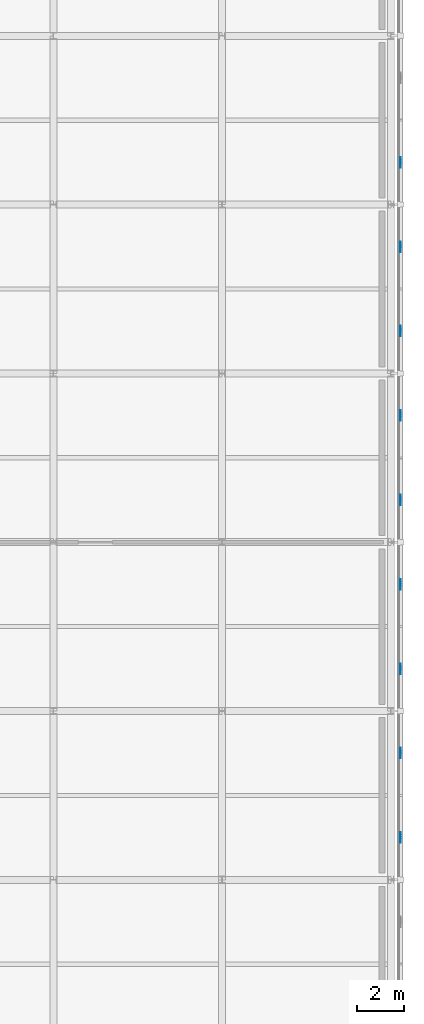
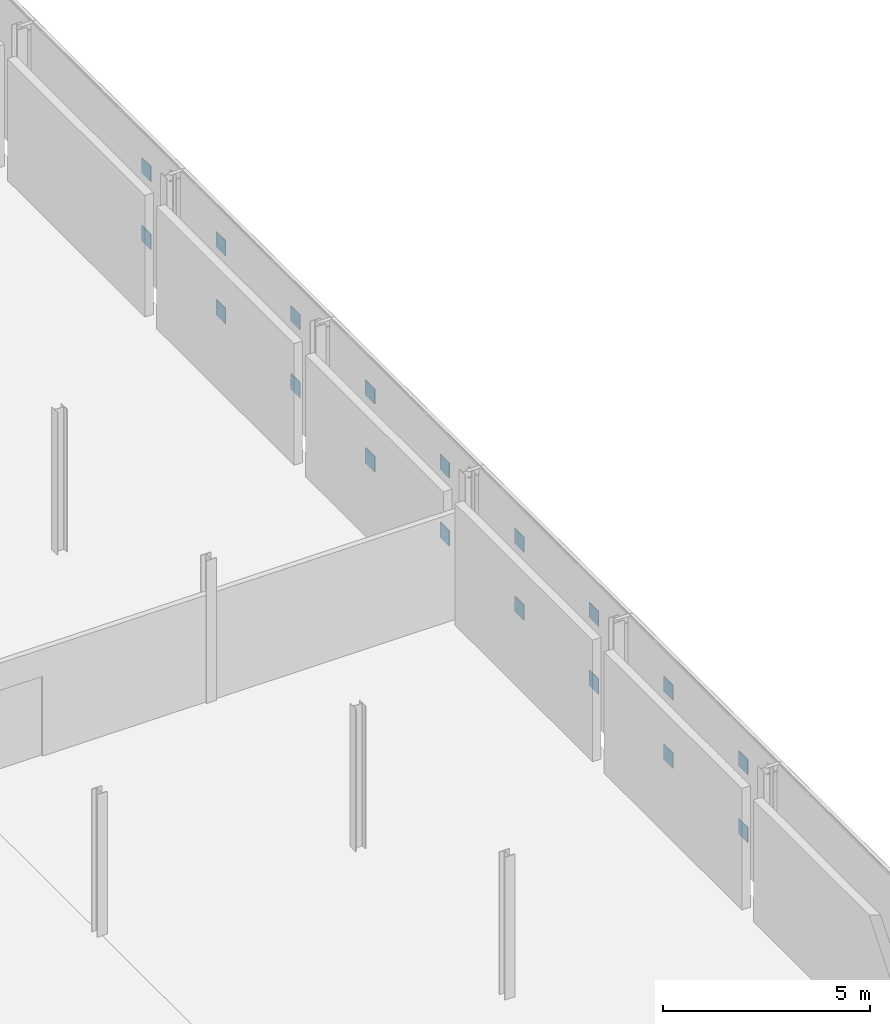
# One storey, part 116 of 146: 18 plates.
"""IFC4 building model written with IfcOpenShell, lengths in metres."""

from ifc_helpers import new_model, si_unit, direction, frame, origin, origin_2d, place, context, subcontext, project, spatial, rectangle, extrude, material, layer, layer_set, type_object, element, save


model = new_model("IFC4")

# Units and contexts
model_context = context("Model", 3, precision=1e-05, world=origin(), true_north=direction((0.0, 1.0)))
body_context = subcontext(model_context, "Body", "Model", "MODEL_VIEW")
ifc_project = project(units=[si_unit("LENGTHUNIT", "METRE"), si_unit("AREAUNIT", "SQUARE_METRE"), si_unit("VOLUMEUNIT", "CUBIC_METRE"), si_unit("PLANEANGLEUNIT", "RADIAN"), si_unit("MASSUNIT", "GRAM", prefix="KILO")], contexts=[model_context])

# Site, building, storey
site_placement = place(None, origin())
site = spatial("IfcSite", under=ifc_project, at=site_placement, CompositionType="ELEMENT")
building_placement = place(site_placement, origin())
building = spatial("IfcBuilding", under=site, at=building_placement, Name="Zlatovets Crest Museum", CompositionType="ELEMENT")
storey_placement = place(building_placement, frame((0.0, 0.0, 4.5)))
storey = spatial("IfcBuildingStorey", under=building, at=storey_placement, Name="L01", CompositionType="ELEMENT", Elevation=4.5)

# Plates
ifc_material = material(Name="Structural steel S355J2", Category="steel")
ifc_layer = layer(ifc_material, 0.02001953125)
ifc_layer_set = layer_set([ifc_layer], Name="Structural steel S355J2")
plate_type = type_object("IfcPlateType", Name="Gusset_GP-04", PredefinedType="USERDEFINED", material=ifc_layer_set)
for number, where, z_axis, x_axis, name in (
    (1, (166.02001953125, 59.39990234375, 0.875), (0.0, 0.0, 1.0), (1.0, 0.0, 0.0), "X-Brace Crossing Node Gusset Plate GP-04"),
    (2, (166.02001953125, 63.0, 0.875), (0.0, 0.0, 1.0), (1.0, 0.0, 0.0), "X-Brace Crossing Node Gusset Plate GP-04"),
    (3, (166.02001953125, 59.39990234375, 2.875), (0.0, 0.0, 1.0), (1.0, 0.0, 0.0), "X-Brace Crossing Node Gusset Plate GP-04"),
    (4, (166.02001953125, 63.0, 2.875), (0.0, 0.0, 1.0), (1.0, 0.0, 0.0), "X-Brace Crossing Node Gusset Plate GP-04"),
    (5, (166.02001953125, 66.60009765625, 0.875), (0.0, 0.0, 1.0), (1.0, 0.0, 0.0), "X-Brace Crossing Node Gusset Plate GP-04"),
    (6, (166.02001953125, 70.199951171875, 0.875), (0.0, 0.0, 1.0), (1.0, 0.0, 0.0), "X-Brace Crossing Node Gusset Plate GP-04"),
    (7, (166.02001953125, 66.60009765625, 2.875), (0.0, 0.0, 1.0), (1.0, 0.0, 0.0), "X-Brace Crossing Node Gusset Plate GP-04"),
    (8, (166.02001953125, 70.199951171875, 2.875), (0.0, 0.0, 1.0), (1.0, 0.0, 0.0), "X-Brace Crossing Node Gusset Plate GP-04"),
    (9, (166.02001953125, 73.800048828125, 0.875), (0.0, 0.0, 1.0), (1.0, 0.0, 0.0), "X-Brace Crossing Node Gusset Plate GP-04"),
    (10, (166.02001953125, 77.39990234375, 0.875), (0.0, 0.0, 1.0), (1.0, 0.0, 0.0), "X-Brace Crossing Node Gusset Plate GP-04"),
    (11, (166.02001953125, 73.800048828125, 2.875), (0.0, 0.0, 1.0), (1.0, 0.0, 0.0), "X-Brace Crossing Node Gusset Plate GP-04"),
    (12, (166.02001953125, 77.39990234375, 2.875), (0.0, 0.0, 1.0), (1.0, 0.0, 0.0), "X-Brace Crossing Node Gusset Plate GP-04"),
    (13, (166.02001953125, 81.0, 0.875), (0.0, 0.0, 1.0), (1.0, 0.0, 0.0), "X-Brace Crossing Node Gusset Plate GP-04"),
    (14, (166.02001953125, 84.60009765625, 0.875), (0.0, 0.0, 1.0), (1.0, 0.0, 0.0), "X-Brace Crossing Node Gusset Plate GP-04"),
    (15, (166.02001953125, 81.0, 2.875), (0.0, 0.0, 1.0), (1.0, 0.0, 0.0), "X-Brace Crossing Node Gusset Plate GP-04"),
    (16, (166.02001953125, 84.60009765625, 2.875), (0.0, 0.0, 1.0), (1.0, 0.0, 0.0), "X-Brace Crossing Node Gusset Plate GP-04"),
    (17, (166.02001953125, 88.199951171875, 0.875), (0.0, 0.0, 1.0), (1.0, 0.0, 0.0), "X-Brace Crossing Node Gusset Plate GP-04"),
    (18, (166.02001953125, 88.199951171875, 2.875), (0.0, 0.0, 1.0), (1.0, 0.0, 0.0), "X-Brace Crossing Node Gusset Plate GP-04"),
):
    element("IfcPlate", number, at=place(storey_placement, frame(where, z_axis=z_axis, x_axis=x_axis)), inside=storey, type_object=plate_type, Name=name, ObjectType="GUSSET", PredefinedType="USERDEFINED", context=body_context, shape_type="SweptSolid", body=[
        extrude(rectangle(XDim=0.02001953125, YDim=0.449951171875, at=origin_2d()), origin(), (0.0, 0.0, 1.0), 0.449951171875),
    ])

save(model, "model.ifc")
